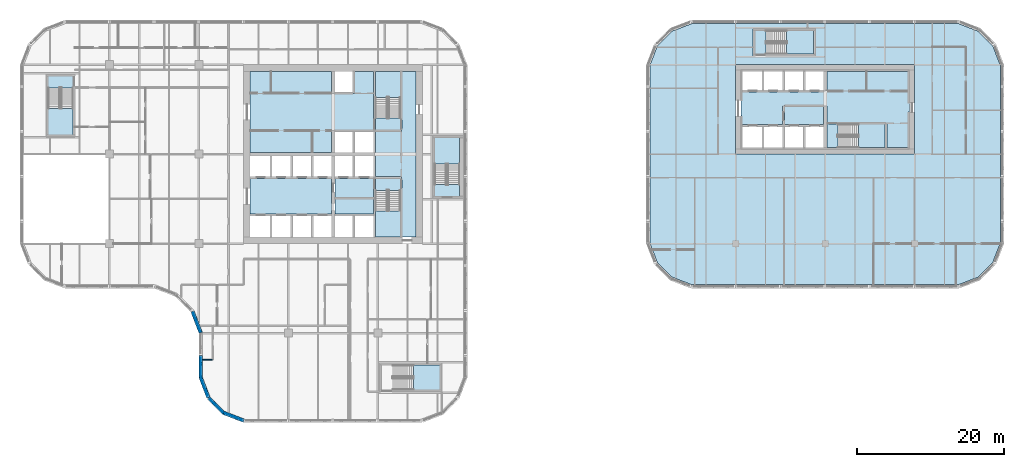
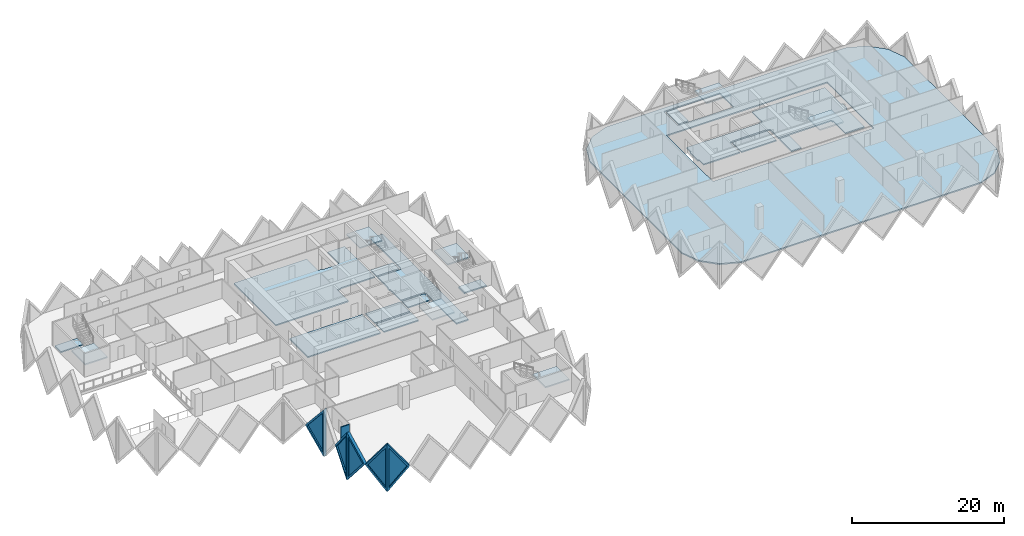
# One storey, part 3 of 18: 21 slabs, 6 walls, 5 plates, 5 openings, 7 elements without a shape of their own.
"""IFC4 building model written with IfcOpenShell, lengths in metres."""

from ifc_helpers import new_model, si_unit, direction, frame, frame_2d, origin, place, context, subcontext, project, spatial, polyline, rectangle, outline, extrude, faceted_brep, source, transform, mapped, material, layer, layer_set, type_object, element, fill, aggregate, save


model = new_model("IFC4")

# Units and contexts
model_context = context("Model", 3, precision=1e-05, world=origin(), true_north=direction((0.0, 1.0)))
body_context = subcontext(model_context, "Body", "Model", "MODEL_VIEW")
ifc_project = project(units=[si_unit("LENGTHUNIT", "METRE"), si_unit("AREAUNIT", "SQUARE_METRE"), si_unit("VOLUMEUNIT", "CUBIC_METRE"), si_unit("PLANEANGLEUNIT", "RADIAN"), si_unit("MASSUNIT", "GRAM", prefix="KILO")], contexts=[model_context])

# Site, building, storey
site_placement = place(None, origin())
site = spatial("IfcSite", under=ifc_project, at=site_placement, CompositionType="ELEMENT")
building_placement = place(site_placement, origin())
building = spatial("IfcBuilding", under=site, at=building_placement, Name="Tessera Gate Towers", CompositionType="ELEMENT")
storey_placement = place(building_placement, frame((0.0, 0.0, 44.800048828125)))
storey = spatial("IfcBuildingStorey", under=building, at=storey_placement, Name="L10", CompositionType="ELEMENT", Elevation=44.800048828125)

# Slabs
ifc_material_1 = material(Name="Concrete C35/45", Category="concrete")
ifc_layer_1 = layer(ifc_material_1, 0.199951171875)
ifc_layer_set_1 = layer_set([ifc_layer_1], Name="COMPOSITE FLOOR 200")
slab_type_1 = type_object("IfcSlabType", Name="COMPOSITE FLOOR 200", PredefinedType="FLOOR", material=ifc_layer_set_1)
slab_1_placement = place(storey_placement, frame((0.0, 0.0, -0.199951171875)))
element("IfcSlab", 1, at=slab_1_placement, inside=storey, type_object=slab_type_1, Name="T2-L10", PredefinedType="FLOOR", context=body_context, shape_type="SweptSolid", body=[
    extrude(outline(polyline([(85.89990234375, 24.4931640625), (86.926025390625, 21.8330078125), (88.93310546875, 19.826171875), (91.593017578125, 18.800048828125), (128.0068359375, 18.800048828125), (130.6669921875, 19.826171875), (132.673828125, 21.8330078125), (133.699951171875, 24.4931640625), (133.699951171875, 48.706787109375), (132.673828125, 51.366943359375), (130.6669921875, 53.373779296875), (128.0068359375, 54.39990234375), (91.593017578125, 54.39990234375), (88.93310546875, 53.373779296875), (86.926025390625, 51.366943359375), (85.89990234375, 48.706787109375), (85.89990234375, 24.4931640625)]), holes=[polyline([(97.60009765625, 36.60009765625), (97.60009765625, 48.800048828125), (122.0, 48.800048828125), (122.0, 36.60009765625), (97.60009765625, 36.60009765625)]), polyline([(100.0, 50.0), (100.0, 53.699951171875), (108.5, 53.699951171875), (108.5, 50.0), (100.0, 50.0)])]), origin(), (0.0, 0.0, 1.0), 0.199951171875),
])
ifc_material_2 = material(Name="Concrete C35/45", Category="concrete")
ifc_layer_2 = layer(ifc_material_2, 0.199951171875)
ifc_layer_set_2 = layer_set([ifc_layer_2], Name="CORE FLOOR SLAB 200")
slab_type_2 = type_object("IfcSlabType", Name="CORE FLOOR SLAB 200", PredefinedType="FLOOR", material=ifc_layer_set_2)
slab_2_placement = place(storey_placement, frame((0.0, 0.0, -0.199951171875)))
element("IfcSlab", 2, at=slab_2_placement, inside=storey, type_object=slab_type_2, Name="L10 core floor slab", PredefinedType="FLOOR", context=body_context, shape_type="SweptSolid", body=[
    extrude(outline(polyline([(31.39990234375, 47.89990234375), (31.39990234375, 36.85009765625), (42.449951171875, 36.85009765625), (42.449951171875, 39.800048828125), (42.949951171875, 39.800048828125), (42.949951171875, 39.925048828125), (48.22509765625, 39.925048828125), (48.22509765625, 47.89990234375), (45.64990234375, 47.89990234375), (45.64990234375, 44.89990234375), (45.39990234375, 44.89990234375), (45.39990234375, 44.77490234375), (42.949951171875, 44.77490234375), (42.949951171875, 44.89990234375), (42.449951171875, 44.89990234375), (42.449951171875, 47.89990234375), (31.39990234375, 47.89990234375)])), origin(), (0.0, 0.0, 1.0), 0.199951171875),
])
slab_3_placement = place(storey_placement, frame((0.0, 0.0, -0.199951171875)))
element("IfcSlab", 3, at=slab_3_placement, inside=storey, type_object=slab_type_2, Name="L10 core floor slab", PredefinedType="FLOOR", context=body_context, shape_type="SweptSolid", body=[
    extrude(outline(polyline([(48.35009765625, 36.85009765625), (48.35009765625, 36.35009765625), (48.47509765625, 36.35009765625), (48.47509765625, 33.52490234375), (52.0, 33.52490234375), (52.0, 33.27490234375), (52.125, 33.27490234375), (52.125, 25.300048828125), (54.0, 25.300048828125), (54.0, 47.89990234375), (52.125, 47.89990234375), (52.125, 39.925048828125), (52.0, 39.925048828125), (52.0, 39.675048828125), (48.47509765625, 39.675048828125), (48.47509765625, 36.85009765625), (48.35009765625, 36.85009765625)])), origin(), (0.0, 0.0, 1.0), 0.199951171875),
])
slab_4_placement = place(storey_placement, frame((0.0, 0.0, -0.199951171875)))
element("IfcSlab", 4, at=slab_4_placement, inside=storey, type_object=slab_type_2, Name="L10 core floor slab", PredefinedType="FLOOR", context=body_context, shape_type="SweptSolid", body=[
    extrude(outline(polyline([(42.449951171875, 28.425048828125), (42.449951171875, 33.27490234375), (31.39990234375, 33.27490234375), (31.39990234375, 28.425048828125), (42.449951171875, 28.425048828125)])), origin(), (0.0, 0.0, 1.0), 0.199951171875),
])
slab_5_placement = place(storey_placement, frame((0.0, 0.0, -0.199951171875)))
element("IfcSlab", 5, at=slab_5_placement, inside=storey, type_object=slab_type_2, Name="L10 core floor slab", PredefinedType="FLOOR", context=body_context, shape_type="SweptSolid", body=[
    extrude(outline(polyline([(42.949951171875, 33.27490234375), (42.949951171875, 30.72509765625), (48.22509765625, 30.72509765625), (48.22509765625, 33.27490234375), (42.949951171875, 33.27490234375)])), origin(), (0.0, 0.0, 1.0), 0.199951171875),
])
slab_6_placement = place(storey_placement, frame((0.0, 0.0, -0.199951171875)))
element("IfcSlab", 6, at=slab_6_placement, inside=storey, type_object=slab_type_2, Name="L10 core floor slab", PredefinedType="FLOOR", context=body_context, shape_type="SweptSolid", body=[
    extrude(outline(polyline([(42.949951171875, 30.47509765625), (42.949951171875, 28.425048828125), (48.22509765625, 28.425048828125), (48.22509765625, 30.47509765625), (42.949951171875, 30.47509765625)])), origin(), (0.0, 0.0, 1.0), 0.199951171875),
])
slab_7_placement = place(storey_placement, frame((0.0, 0.0, -0.199951171875)))
element("IfcSlab", 7, at=slab_7_placement, inside=storey, type_object=slab_type_2, Name="L10 core floor slab", PredefinedType="FLOOR", context=body_context, shape_type="SweptSolid", body=[
    extrude(outline(polyline([(51.875, 31.675048828125), (51.875, 33.27490234375), (48.47509765625, 33.27490234375), (48.47509765625, 31.675048828125), (51.875, 31.675048828125)])), origin(), (0.0, 0.0, 1.0), 0.199951171875),
])
slab_8_placement = place(storey_placement, frame((0.0, 0.0, -0.199951171875)))
element("IfcSlab", 8, at=slab_8_placement, inside=storey, type_object=slab_type_2, Name="L10 core floor slab", PredefinedType="FLOOR", context=body_context, shape_type="SweptSolid", body=[
    extrude(outline(polyline([(48.47509765625, 41.52490234375), (48.47509765625, 39.925048828125), (51.875, 39.925048828125), (51.875, 41.52490234375), (48.47509765625, 41.52490234375)])), origin(), (0.0, 0.0, 1.0), 0.199951171875),
])
slab_9_placement = place(storey_placement, frame((0.0, 0.0, -0.199951171875)))
element("IfcSlab", 9, at=slab_9_placement, inside=storey, type_object=slab_type_2, Name="L10 ST3 floor landing", PredefinedType="FLOOR", context=body_context, shape_type="SweptSolid", body=[
    extrude(outline(polyline([(3.85009765625, 47.25), (3.85009765625, 45.64990234375), (7.25, 45.64990234375), (7.25, 47.25), (3.85009765625, 47.25)])), origin(), (0.0, 0.0, 1.0), 0.199951171875),
])
slab_10_placement = place(storey_placement, frame((0.0, 0.0, -0.199951171875)))
element("IfcSlab", 10, at=slab_10_placement, inside=storey, type_object=slab_type_2, Name="L10 ST5 floor landing", PredefinedType="FLOOR", context=body_context, shape_type="SweptSolid", body=[
    extrude(outline(polyline([(59.949951171875, 30.85009765625), (59.949951171875, 32.449951171875), (56.550048828125, 32.449951171875), (56.550048828125, 30.85009765625), (59.949951171875, 30.85009765625)])), origin(), (0.0, 0.0, 1.0), 0.199951171875),
])
slab_11_placement = place(storey_placement, frame((0.0, 0.0, -0.199951171875)))
element("IfcSlab", 11, at=slab_11_placement, inside=storey, type_object=slab_type_2, Name="L10 core floor slab", PredefinedType="FLOOR", context=body_context, shape_type="SweptSolid", body=[
    extrude(outline(polyline([(109.550048828125, 45.199951171875), (109.550048828125, 45.074951171875), (98.5, 45.074951171875), (98.5, 43.89990234375), (98.300048828125, 43.89990234375), (98.300048828125, 41.800048828125), (98.5, 41.800048828125), (98.5, 40.625), (104.02490234375, 40.625), (104.02490234375, 43.199951171875), (104.27490234375, 43.199951171875), (104.27490234375, 43.324951171875), (109.550048828125, 43.324951171875), (109.550048828125, 43.199951171875), (110.050048828125, 43.199951171875), (110.050048828125, 40.949951171875), (118.10009765625, 40.949951171875), (118.10009765625, 40.699951171875), (118.22509765625, 40.699951171875), (118.22509765625, 37.5), (121.10009765625, 37.5), (121.10009765625, 42.35009765625), (121.300048828125, 42.35009765625), (121.300048828125, 43.550048828125), (121.10009765625, 43.550048828125), (121.10009765625, 47.89990234375), (110.050048828125, 47.89990234375), (110.050048828125, 45.199951171875), (109.550048828125, 45.199951171875)])), origin(), (0.0, 0.0, 1.0), 0.199951171875),
])
slab_12_placement = place(storey_placement, frame((0.0, 0.0, -0.199951171875)))
element("IfcSlab", 12, at=slab_12_placement, inside=storey, type_object=slab_type_2, Name="L10 core floor slab", PredefinedType="FLOOR", context=body_context, shape_type="SweptSolid", body=[
    extrude(outline(polyline([(109.550048828125, 43.074951171875), (104.27490234375, 43.074951171875), (104.27490234375, 40.625), (109.550048828125, 40.625), (109.550048828125, 43.074951171875)])), origin(), (0.0, 0.0, 1.0), 0.199951171875),
])
slab_13_placement = place(storey_placement, frame((0.0, 0.0, -0.199951171875)))
element("IfcSlab", 13, at=slab_13_placement, inside=storey, type_object=slab_type_2, Name="L10 core floor slab", PredefinedType="FLOOR", context=body_context, shape_type="SweptSolid", body=[
    extrude(outline(polyline([(111.550048828125, 37.5), (111.550048828125, 40.699951171875), (110.050048828125, 40.699951171875), (110.050048828125, 37.5), (111.550048828125, 37.5)])), origin(), (0.0, 0.0, 1.0), 0.199951171875),
])
slab_14_placement = place(storey_placement, frame((0.0, 0.0, -0.199951171875)))
element("IfcSlab", 14, at=slab_14_placement, inside=storey, type_object=slab_type_2, Name="L10 ST7 floor landing", PredefinedType="FLOOR", context=body_context, shape_type="SweptSolid", body=[
    extrude(outline(polyline([(100.25, 50.25), (101.75, 50.25), (101.75, 53.449951171875), (100.25, 53.449951171875), (100.25, 50.25)])), origin(), (0.0, 0.0, 1.0), 0.199951171875),
])

# Stair, slab
ifc_material_3 = material(Name="Concrete C40/50", Category="concrete")
stair_type_1 = type_object("IfcStairType", Name="EXIT STAIR ST1 1600", PredefinedType="HALF_TURN_STAIR", material=ifc_material_3)
stair_1_placement = place(storey_placement, origin())
stair_1 = element("IfcStair", 15, at=stair_1_placement, inside=storey, type_object=stair_type_1, Name="L10 Protected Exit Stair ST1", PredefinedType="HALF_TURN_STAIR")
ifc_material_4 = material(Name="Concrete C40/50", Category="concrete")
ifc_layer_3 = layer(ifc_material_4, 0.199951171875)
ifc_layer_set_3 = layer_set([ifc_layer_3], Name="EXIT STAIR LANDING 200")
slab_type_3 = type_object("IfcSlabType", Name="EXIT STAIR LANDING 200", PredefinedType="LANDING", material=ifc_layer_set_3)
slab_15_placement = place(storey_placement, frame((0.0, 0.0, 1.699951171875)))
slab_15 = element("IfcSlab", 16, at=slab_15_placement, type_object=slab_type_3, Name="ST1 landing 1", PredefinedType="LANDING", context=body_context, shape_type="SweptSolid", body=[
    extrude(outline(polyline([(48.47509765625, 28.875), (48.47509765625, 25.300048828125), (51.875, 25.300048828125), (51.875, 28.875), (48.47509765625, 28.875)])), origin(), (0.0, 0.0, 1.0), 0.199951171875),
])
aggregate(stair_1, [slab_15])

ifc_material_5 = material(Name="Concrete C40/50", Category="concrete")
stair_type_2 = type_object("IfcStairType", Name="EXIT STAIR ST2 1600", PredefinedType="HALF_TURN_STAIR", material=ifc_material_5)
stair_2_placement = place(storey_placement, origin())
stair_2 = element("IfcStair", 17, at=stair_2_placement, inside=storey, type_object=stair_type_2, Name="L10 Protected Exit Stair ST2", PredefinedType="HALF_TURN_STAIR")
slab_16_placement = place(storey_placement, frame((0.0, 0.0, 1.699951171875)))
slab_16 = element("IfcSlab", 18, at=slab_16_placement, type_object=slab_type_3, Name="ST2 landing 1", PredefinedType="LANDING", context=body_context, shape_type="SweptSolid", body=[
    extrude(outline(polyline([(51.875, 44.324951171875), (51.875, 47.89990234375), (48.47509765625, 47.89990234375), (48.47509765625, 44.324951171875), (51.875, 44.324951171875)])), origin(), (0.0, 0.0, 1.0), 0.199951171875),
])
aggregate(stair_2, [slab_16])

ifc_material_6 = material(Name="Concrete C40/50", Category="concrete")
stair_type_3 = type_object("IfcStairType", Name="EXIT STAIR ST3 1600", PredefinedType="HALF_TURN_STAIR", material=ifc_material_6)
stair_3_placement = place(storey_placement, origin())
stair_3 = element("IfcStair", 19, at=stair_3_placement, inside=storey, type_object=stair_type_3, Name="L10 West Exit Stair ST3", PredefinedType="HALF_TURN_STAIR")
slab_17_placement = place(storey_placement, frame((0.0, 0.0, 1.699951171875)))
slab_17 = element("IfcSlab", 20, at=slab_17_placement, type_object=slab_type_3, Name="ST3 landing 1", PredefinedType="LANDING", context=body_context, shape_type="SweptSolid", body=[
    extrude(outline(polyline([(3.85009765625, 42.85009765625), (3.85009765625, 39.25), (7.25, 39.25), (7.25, 42.85009765625), (3.85009765625, 42.85009765625)])), origin(), (0.0, 0.0, 1.0), 0.199951171875),
])
aggregate(stair_3, [slab_17])

ifc_material_7 = material(Name="Concrete C40/50", Category="concrete")
stair_type_4 = type_object("IfcStairType", Name="EXIT STAIR ST4 1600", PredefinedType="HALF_TURN_STAIR", material=ifc_material_7)
stair_4_placement = place(storey_placement, origin())
stair_4 = element("IfcStair", 21, at=stair_4_placement, inside=storey, type_object=stair_type_4, Name="L10 South Exit Stair ST4", PredefinedType="HALF_TURN_STAIR")
slab_18_placement = place(storey_placement, frame((0.0, 0.0, 1.699951171875)))
slab_18 = element("IfcSlab", 22, at=slab_18_placement, type_object=slab_type_3, Name="ST4 landing 1", PredefinedType="LANDING", context=body_context, shape_type="SweptSolid", body=[
    extrude(outline(polyline([(53.64990234375, 4.449951171875), (57.25, 4.449951171875), (57.25, 7.85009765625), (53.64990234375, 7.85009765625), (53.64990234375, 4.449951171875)])), origin(), (0.0, 0.0, 1.0), 0.199951171875),
])
aggregate(stair_4, [slab_18])

ifc_material_8 = material(Name="Concrete C40/50", Category="concrete")
stair_type_5 = type_object("IfcStairType", Name="EXIT STAIR ST5 1600", PredefinedType="HALF_TURN_STAIR", material=ifc_material_8)
stair_5_placement = place(storey_placement, origin())
stair_5 = element("IfcStair", 23, at=stair_5_placement, inside=storey, type_object=stair_type_5, Name="L10 East Exit Stair ST5", PredefinedType="HALF_TURN_STAIR")
slab_19_placement = place(storey_placement, frame((0.0, 0.0, 1.699951171875)))
slab_19 = element("IfcSlab", 24, at=slab_19_placement, type_object=slab_type_3, Name="ST5 landing 1", PredefinedType="LANDING", context=body_context, shape_type="SweptSolid", body=[
    extrude(outline(polyline([(59.949951171875, 35.25), (59.949951171875, 38.85009765625), (56.550048828125, 38.85009765625), (56.550048828125, 35.25), (59.949951171875, 35.25)])), origin(), (0.0, 0.0, 1.0), 0.199951171875),
])
aggregate(stair_5, [slab_19])

ifc_material_9 = material(Name="Concrete C40/50", Category="concrete")
stair_type_6 = type_object("IfcStairType", Name="EXIT STAIR ST6 1500", PredefinedType="HALF_TURN_STAIR", material=ifc_material_9)
stair_6_placement = place(storey_placement, origin())
stair_6 = element("IfcStair", 25, at=stair_6_placement, inside=storey, type_object=stair_type_6, Name="L10 Protected Exit Stair ST6", PredefinedType="HALF_TURN_STAIR")
slab_20_placement = place(storey_placement, frame((0.0, 0.0, 1.699951171875)))
slab_20 = element("IfcSlab", 26, at=slab_20_placement, type_object=slab_type_3, Name="ST6 landing 1", PredefinedType="LANDING", context=body_context, shape_type="SweptSolid", body=[
    extrude(outline(polyline([(114.35009765625, 37.5), (117.97509765625, 37.5), (117.97509765625, 40.699951171875), (114.35009765625, 40.699951171875), (114.35009765625, 37.5)])), origin(), (0.0, 0.0, 1.0), 0.199951171875),
])
aggregate(stair_6, [slab_20])

ifc_material_10 = material(Name="Concrete C40/50", Category="concrete")
stair_type_7 = type_object("IfcStairType", Name="EXIT STAIR ST7 1500", PredefinedType="HALF_TURN_STAIR", material=ifc_material_10)
stair_7_placement = place(storey_placement, origin())
stair_7 = element("IfcStair", 27, at=stair_7_placement, inside=storey, type_object=stair_type_7, Name="L10 North Exit Stair ST7", PredefinedType="HALF_TURN_STAIR")
slab_21_placement = place(storey_placement, frame((0.0, 0.0, 1.699951171875)))
slab_21 = element("IfcSlab", 28, at=slab_21_placement, type_object=slab_type_3, Name="ST7 landing 1", PredefinedType="LANDING", context=body_context, shape_type="SweptSolid", body=[
    extrude(outline(polyline([(104.550048828125, 50.25), (108.25, 50.25), (108.25, 53.449951171875), (104.550048828125, 53.449951171875), (104.550048828125, 50.25)])), origin(), (0.0, 0.0, 1.0), 0.199951171875),
])
aggregate(stair_7, [slab_21])

# Wall
ifc_material_11 = material(Name="Gypsum board on steel studs, mineral wool", Category="steel")
ifc_layer_4 = layer(ifc_material_11, 0.14990234375)
ifc_layer_set_4 = layer_set([ifc_layer_4], Name="TENANCY WALL 150")
wall_type_1 = type_object("IfcWallType", Name="TENANCY WALL 150", PredefinedType="PARTITIONING", material=ifc_layer_set_4)
wall_1_placement = place(storey_placement, frame((24.89990234375, 8.548095703125, 0.0), z_axis=(0.0, 0.0, 1.0), x_axis=(1.0, 0.0, 0.0)))
element("IfcWall", 29, at=wall_1_placement, inside=storey, type_object=wall_type_1, Name="T1-L10-PW-006", PredefinedType="PARTITIONING", context=body_context, shape_type="SweptSolid", body=[
    extrude(rectangle(XDim=1.299072265625, YDim=0.14990234375, at=frame_2d((0.6494140625, 0.0))), origin(), (0.0, 0.0, 1.0), 3.06689453125),
])

# Wall, opening, plate
ifc_material_12 = material(Name="Precast concrete C60/75 white", Category="concrete")
ifc_layer_5 = layer(ifc_material_12, 0.5)
ifc_layer_set_5 = layer_set([ifc_layer_5], Name="TS3 corner tessera")
wall_type_2 = type_object("IfcWallType", Name="TS3 corner tessera", PredefinedType="SOLIDWALL", material=ifc_layer_set_5)
shared_shape_1 = source(origin(), body_context, "Body", "Brep", [
    faceted_brep([(3.00341796875, -0.25, 0.0), (3.050048828125, -0.25, 0.06005859375), (3.050048828125, -0.25, 7.5400390625), (3.00341796875, -0.25, 7.60009765625), (0.0, -0.25, 3.800048828125), (0.0, 0.25, 3.800048828125), (2.956787109375, 0.25, 7.541259765625), (2.956787109375, 0.25, 0.058837890625), (3.00341796875, 0.000244140625, 0.0), (3.00341796875, 0.000244140625, 7.60009765625)], [[[0, 1, 2, 3, 4]], [[5, 6, 7]], [[1, 0, 8]], [[9, 3, 2]], [[6, 5, 4, 3, 9]], [[5, 7, 8, 0, 4]], [[1, 8, 7, 6, 9, 2]]]),
])
wall_2_placement = place(storey_placement, frame((24.64990234375, 9.14990234375, -3.800048828125), z_axis=(0.0, 0.0, 1.0), x_axis=(0.0, -1.0, 0.0)))
wall_2 = element("IfcWall", 30, at=wall_2_placement, inside=storey, type_object=wall_type_2, Name="Precast corner tessera T1 TS3-0213", PredefinedType="SOLIDWALL", context=body_context, shape_type="MappedRepresentation", body=[
    mapped(shared_shape_1, transform((0.0, 0.0, 0.0), scale=1.0)),
])
shared_shape_2 = source(origin(), body_context, "Body", "SweptSolid", [
    extrude(outline(polyline([(2.803466796875, 6.94384765625), (0.318603515625, 3.800048828125), (2.803466796875, 0.65625), (2.803466796875, 6.94384765625)])), frame((0.0, 0.260009765625, 0.0), z_axis=(0.0, -1.0, 0.0), x_axis=(1.0, 0.0, 0.0)), (0.0, 0.0, 1.0), 0.52001953125),
])
opening_1_placement = place(wall_2_placement, origin())
opening_1 = element("IfcOpeningElement", 31, at=opening_1_placement, cuts=wall_2, Name="Opening T1-PL2-0278", PredefinedType="OPENING", context=body_context, shape_type="MappedRepresentation", body=[
    mapped(shared_shape_2, transform((0.0, 0.0, 0.0), scale=1.0)),
])
ifc_material_13 = material(Name="Low-e laminated glass", Category="glass")
ifc_layer_6 = layer(ifc_material_13, 0.06005859375)
ifc_layer_set_6 = layer_set([ifc_layer_6], Name="PL2 rhombic pane")
plate_type = type_object("IfcPlateType", Name="PL2 rhombic pane", PredefinedType="SHEET", material=ifc_layer_set_6)
shared_shape_3 = source(origin(), body_context, "Body", "SweptSolid", [
    extrude(outline(polyline([(2.803466796875, 6.94384765625), (0.318603515625, 3.800048828125), (2.803466796875, 0.65625), (2.803466796875, 6.94384765625)])), frame((0.0, 0.030029296875, 0.0), z_axis=(0.0, -1.0, 0.0), x_axis=(1.0, 0.0, 0.0)), (0.0, 0.0, 1.0), 0.06005859375),
])
plate_1_placement = place(opening_1_placement, origin())
plate_1 = element("IfcPlate", 32, at=plate_1_placement, inside=storey, type_object=plate_type, Name="Glass pane T1 PL2-0278", PredefinedType="SHEET", context=body_context, shape_type="MappedRepresentation", body=[
    mapped(shared_shape_3, transform((0.0, 0.0, 0.0), scale=1.0)),
])
fill(opening_1, plate_1)

shared_shape_4 = source(origin(), body_context, "Body", "Brep", [
    faceted_brep([(0.046630859375, -0.25, 0.0), (2.9970703125, -0.25, 3.800048828125), (0.046630859375, -0.25, 7.60009765625), (0.0, -0.25, 7.541259765625), (0.0, -0.25, 0.058837890625), (0.09326171875, 0.25, 7.5400390625), (2.9443359375, 0.25, 3.8681640625), (2.9443359375, 0.25, 3.73193359375), (0.09326171875, 0.25, 0.06005859375), (2.9970703125, 0.00048828125, 3.800048828125), (0.046630859375, 0.0, 0.0), (0.046630859375, 0.0, 7.60009765625)], [[[0, 1, 2, 3, 4]], [[5, 6, 7, 8]], [[8, 7, 9, 1, 0, 10]], [[6, 5, 11, 2, 1, 9]], [[3, 2, 11]], [[10, 0, 4]], [[8, 10, 4, 3, 11, 5]], [[9, 7, 6]]]),
])
wall_3_placement = place(storey_placement, frame((24.63330078125, 6.18994140625, -3.800048828125), z_axis=(0.0, 0.0, 1.0), x_axis=(0.359901446078, -0.932990326376, 0.0)))
wall_3 = element("IfcWall", 33, at=wall_3_placement, inside=storey, type_object=wall_type_2, Name="Precast corner tessera T1 TS3-0214", PredefinedType="SOLIDWALL", context=body_context, shape_type="MappedRepresentation", body=[
    mapped(shared_shape_4, transform((0.0, 0.0, 0.0), scale=1.0)),
])
shared_shape_5 = source(origin(), body_context, "Body", "SweptSolid", [
    extrude(outline(polyline([(0.24658203125, 0.665283203125), (2.6806640625, 3.800048828125), (0.24658203125, 6.934814453125), (0.24658203125, 0.665283203125)])), frame((0.0, 0.260009765625, 0.0), z_axis=(0.0, -1.0, 0.0), x_axis=(1.0, 0.0, 0.0)), (0.0, 0.0, 1.0), 0.52001953125),
])
opening_2_placement = place(wall_3_placement, origin())
opening_2 = element("IfcOpeningElement", 34, at=opening_2_placement, cuts=wall_3, Name="Opening T1-PL2-0279", PredefinedType="OPENING", context=body_context, shape_type="MappedRepresentation", body=[
    mapped(shared_shape_5, transform((0.0, 0.0, 0.0), scale=1.0)),
])
shared_shape_6 = source(origin(), body_context, "Body", "SweptSolid", [
    extrude(outline(polyline([(0.24658203125, 0.665283203125), (2.6806640625, 3.800048828125), (0.24658203125, 6.934814453125), (0.24658203125, 0.665283203125)])), frame((0.0, 0.030029296875, 0.0), z_axis=(0.0, -1.0, 0.0), x_axis=(1.0, 0.0, 0.0)), (0.0, 0.0, 1.0), 0.06005859375),
])
plate_2_placement = place(opening_2_placement, origin())
plate_2 = element("IfcPlate", 35, at=plate_2_placement, inside=storey, type_object=plate_type, Name="Glass pane T1 PL2-0279", PredefinedType="SHEET", context=body_context, shape_type="MappedRepresentation", body=[
    mapped(shared_shape_6, transform((0.0, 0.0, 0.0), scale=1.0)),
])
fill(opening_2, plate_2)

shared_shape_7 = source(origin(), body_context, "Body", "Brep", [
    faceted_brep([(0.052978515625, -0.25, 0.0), (3.00341796875, -0.25, 3.800048828125), (0.052978515625, -0.25, 7.60009765625), (0.0, -0.25, 7.53173828125), (0.0, -0.25, 0.068359375), (0.10595703125, 0.25, 7.531982421875), (2.95703125, 0.25, 3.85986328125), (2.95703125, 0.25, 3.740234375), (0.10595703125, 0.25, 0.068115234375), (3.00341796875, 0.00048828125, 3.800048828125), (0.052978515625, 0.0, 0.0), (0.052978515625, 0.0, 7.60009765625)], [[[0, 1, 2, 3, 4]], [[5, 6, 7, 8]], [[8, 7, 9, 1, 0, 10]], [[6, 5, 11, 2, 1, 9]], [[3, 2, 11]], [[10, 0, 4]], [[8, 10, 4, 3, 11, 5]], [[9, 7, 6]]]),
])
wall_4_placement = place(storey_placement, frame((27.744384765625, 1.3310546875, -3.800048828125), z_axis=(0.0, 0.0, 1.0), x_axis=(0.932970071518, -0.359953949349, 0.0)))
wall_4 = element("IfcWall", 36, at=wall_4_placement, inside=storey, type_object=wall_type_2, Name="Precast corner tessera T1 TS3-0216", PredefinedType="SOLIDWALL", context=body_context, shape_type="MappedRepresentation", body=[
    mapped(shared_shape_7, transform((0.0, 0.0, 0.0), scale=1.0)),
])
shared_shape_8 = source(origin(), body_context, "Body", "SweptSolid", [
    extrude(outline(polyline([(0.2529296875, 0.665283203125), (2.68701171875, 3.800048828125), (0.2529296875, 6.934814453125), (0.2529296875, 0.665283203125)])), frame((0.0, 0.260009765625, 0.0), z_axis=(0.0, -1.0, 0.0), x_axis=(1.0, 0.0, 0.0)), (0.0, 0.0, 1.0), 0.52001953125),
])
opening_3_placement = place(wall_4_placement, origin())
opening_3 = element("IfcOpeningElement", 37, at=opening_3_placement, cuts=wall_4, Name="Opening T1-PL2-0281", PredefinedType="OPENING", context=body_context, shape_type="MappedRepresentation", body=[
    mapped(shared_shape_8, transform((0.0, 0.0, 0.0), scale=1.0)),
])
shared_shape_9 = source(origin(), body_context, "Body", "SweptSolid", [
    extrude(outline(polyline([(0.2529296875, 0.665283203125), (2.68701171875, 3.800048828125), (0.2529296875, 6.934814453125), (0.2529296875, 0.665283203125)])), frame((0.0, 0.030029296875, 0.0), z_axis=(0.0, -1.0, 0.0), x_axis=(1.0, 0.0, 0.0)), (0.0, 0.0, 1.0), 0.06005859375),
])
plate_3_placement = place(opening_3_placement, origin())
plate_3 = element("IfcPlate", 38, at=plate_3_placement, inside=storey, type_object=plate_type, Name="Glass pane T1 PL2-0281", PredefinedType="SHEET", context=body_context, shape_type="MappedRepresentation", body=[
    mapped(shared_shape_9, transform((0.0, 0.0, 0.0), scale=1.0)),
])
fill(opening_3, plate_3)

shared_shape_10 = source(origin(), body_context, "Body", "Brep", [
    faceted_brep([(2.944091796875, -0.25, 0.0), (2.9970703125, -0.25, 0.068115234375), (2.9970703125, -0.25, 7.531982421875), (2.944091796875, -0.25, 7.60009765625), (0.0, -0.25, 3.800048828125), (0.052978515625, 0.25, 3.868408203125), (2.89111328125, 0.25, 7.531982421875), (2.89111328125, 0.25, 0.068115234375), (0.052978515625, 0.25, 3.731689453125), (2.944091796875, 0.000244140625, 0.0), (2.944091796875, 0.000244140625, 7.60009765625), (0.0, 0.0, 3.800048828125)], [[[0, 1, 2, 3, 4]], [[5, 6, 7, 8]], [[1, 0, 9]], [[10, 3, 2]], [[6, 5, 11, 4, 3, 10]], [[8, 7, 9, 0, 4, 11]], [[8, 11, 5]], [[1, 9, 7, 6, 10, 2]]]),
])
wall_5_placement = place(storey_placement, frame((25.7119140625, 3.393798828125, -3.800048828125), z_axis=(0.0, 0.0, 1.0), x_axis=(0.707066050402, -0.707147509625, 0.0)))
wall_5 = element("IfcWall", 39, at=wall_5_placement, inside=storey, type_object=wall_type_2, Name="Precast corner tessera T1 TS3-0215", PredefinedType="SOLIDWALL", context=body_context, shape_type="MappedRepresentation", body=[
    mapped(shared_shape_10, transform((0.0, 0.0, 0.0), scale=1.0)),
])
shared_shape_11 = source(origin(), body_context, "Body", "SweptSolid", [
    extrude(outline(polyline([(2.744140625, 6.93359375), (0.316162109375, 3.800048828125), (2.744140625, 0.666259765625), (2.744140625, 6.93359375)])), frame((0.0, 0.260009765625, 0.0), z_axis=(0.0, -1.0, 0.0), x_axis=(1.0, 0.0, 0.0)), (0.0, 0.0, 1.0), 0.52001953125),
])
opening_4_placement = place(wall_5_placement, origin())
opening_4 = element("IfcOpeningElement", 40, at=opening_4_placement, cuts=wall_5, Name="Opening T1-PL2-0280", PredefinedType="OPENING", context=body_context, shape_type="MappedRepresentation", body=[
    mapped(shared_shape_11, transform((0.0, 0.0, 0.0), scale=1.0)),
])
shared_shape_12 = source(origin(), body_context, "Body", "SweptSolid", [
    extrude(outline(polyline([(2.744140625, 6.93359375), (0.316162109375, 3.800048828125), (2.744140625, 0.666259765625), (2.744140625, 6.93359375)])), frame((0.0, 0.030029296875, 0.0), z_axis=(0.0, -1.0, 0.0), x_axis=(1.0, 0.0, 0.0)), (0.0, 0.0, 1.0), 0.06005859375),
])
plate_4_placement = place(opening_4_placement, origin())
plate_4 = element("IfcPlate", 41, at=plate_4_placement, inside=storey, type_object=plate_type, Name="Glass pane T1 PL2-0280", PredefinedType="SHEET", context=body_context, shape_type="MappedRepresentation", body=[
    mapped(shared_shape_12, transform((0.0, 0.0, 0.0), scale=1.0)),
])
fill(opening_4, plate_4)

shared_shape_13 = source(origin(), body_context, "Body", "Brep", [
    faceted_brep([(3.10302734375, -0.25, 7.5439453125), (0.052978515625, -0.25, 3.864013671875), (0.052978515625, -0.25, 3.736083984375), (3.10302734375, -0.25, 0.05615234375), (0.0, 0.25, 3.800048828125), (3.1494140625, 0.25, 7.60009765625), (3.196044921875, 0.25, 7.54296875), (3.196044921875, 0.25, 0.05712890625), (3.1494140625, 0.25, 0.0), (3.1494140625, -0.000244140625, 0.0), (3.1494140625, -0.000244140625, 7.60009765625), (0.0, 0.0, 3.800048828125)], [[[0, 1, 2, 3]], [[4, 5, 6, 7, 8]], [[8, 7, 9]], [[6, 5, 10]], [[5, 4, 11, 1, 0, 10]], [[4, 8, 9, 3, 2, 11]], [[11, 2, 1]], [[3, 9, 7, 6, 10, 0]]]),
])
wall_6_placement = place(storey_placement, frame((23.5166015625, 15.18505859375, -3.800048828125), z_axis=(0.0, 0.0, 1.0), x_axis=(0.359864468756, -0.933004589553, 0.0)))
wall_6 = element("IfcWall", 42, at=wall_6_placement, inside=storey, type_object=wall_type_2, Name="Precast corner tessera T1 TS3-0211", PredefinedType="SOLIDWALL", context=body_context, shape_type="MappedRepresentation", body=[
    mapped(shared_shape_13, transform((0.0, 0.0, 0.0), scale=1.0)),
])
shared_shape_14 = source(origin(), body_context, "Body", "SweptSolid", [
    extrude(outline(polyline([(2.949462890625, 6.966796875), (0.32470703125, 3.800048828125), (2.949462890625, 0.633056640625), (2.949462890625, 6.966796875)])), frame((0.0, 0.260009765625, 0.0), z_axis=(0.0, -1.0, 0.0), x_axis=(1.0, 0.0, 0.0)), (0.0, 0.0, 1.0), 0.52001953125),
])
opening_5_placement = place(wall_6_placement, origin())
opening_5 = element("IfcOpeningElement", 43, at=opening_5_placement, cuts=wall_6, Name="Opening T1-PL2-0276", PredefinedType="OPENING", context=body_context, shape_type="MappedRepresentation", body=[
    mapped(shared_shape_14, transform((0.0, 0.0, 0.0), scale=1.0)),
])
shared_shape_15 = source(origin(), body_context, "Body", "SweptSolid", [
    extrude(outline(polyline([(2.949462890625, 6.966796875), (0.32470703125, 3.800048828125), (2.949462890625, 0.633056640625), (2.949462890625, 6.966796875)])), frame((0.0, 0.030029296875, 0.0), z_axis=(0.0, -1.0, 0.0), x_axis=(1.0, 0.0, 0.0)), (0.0, 0.0, 1.0), 0.06005859375),
])
plate_5_placement = place(opening_5_placement, origin())
plate_5 = element("IfcPlate", 44, at=plate_5_placement, inside=storey, type_object=plate_type, Name="Glass pane T1 PL2-0276", PredefinedType="SHEET", context=body_context, shape_type="MappedRepresentation", body=[
    mapped(shared_shape_15, transform((0.0, 0.0, 0.0), scale=1.0)),
])
fill(opening_5, plate_5)

save(model, "model.ifc")
